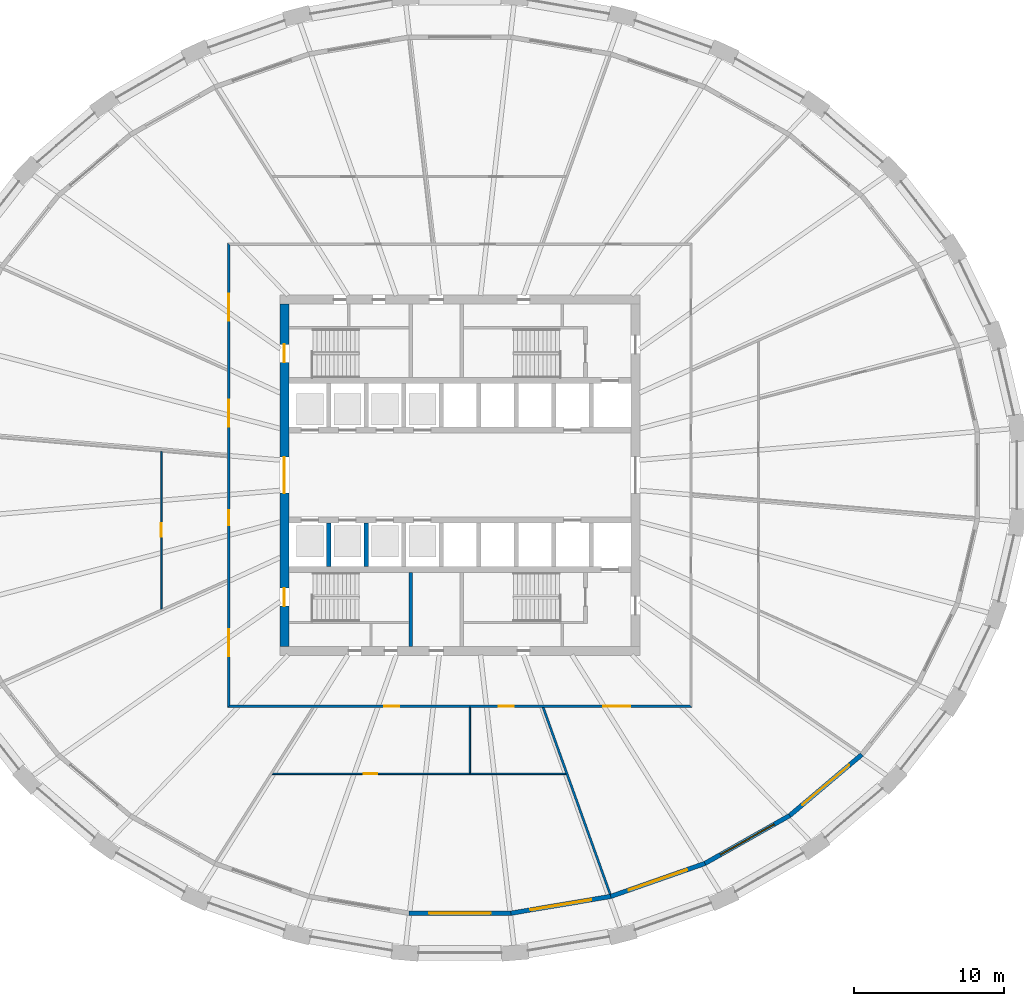
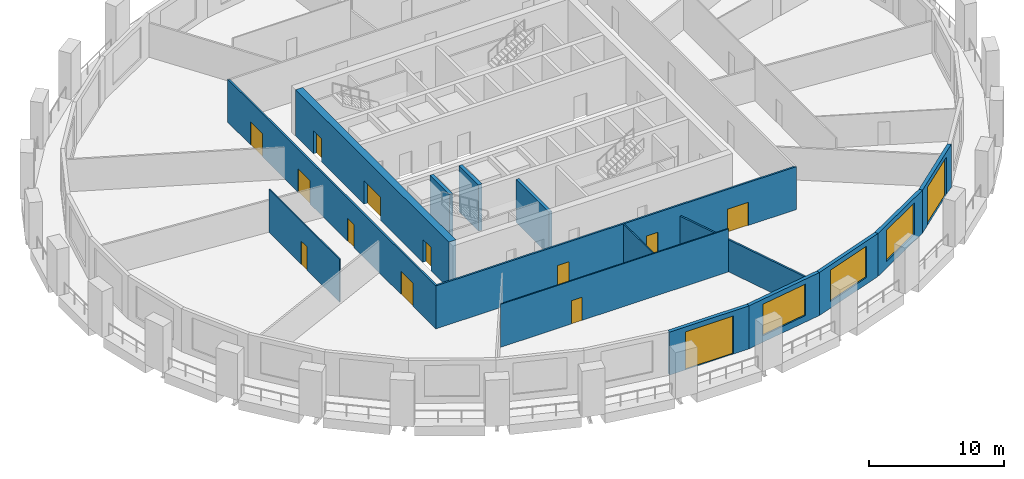
# One storey, part 3 of 10: 15 walls, 14 doors, 3 windows, 17 openings.
"""IFC4 building model written with IfcOpenShell, lengths in metres."""

from ifc_helpers import new_model, si_unit, direction, frame, frame_2d, origin, place, context, subcontext, project, spatial, polyline, rectangle, outline, extrude, material, layer, layer_set, type_object, element, fill, save


model = new_model("IFC4")

# Units and contexts
model_context = context("Model", 3, precision=1e-05, world=origin(), true_north=direction((0.0, 1.0)))
body_context = subcontext(model_context, "Body", "Model", "MODEL_VIEW")
ifc_project = project(units=[si_unit("LENGTHUNIT", "METRE"), si_unit("AREAUNIT", "SQUARE_METRE"), si_unit("VOLUMEUNIT", "CUBIC_METRE"), si_unit("PLANEANGLEUNIT", "RADIAN"), si_unit("MASSUNIT", "GRAM", prefix="KILO")], contexts=[model_context])

# Site, building, storey
site_placement = place(None, origin())
site = spatial("IfcSite", under=ifc_project, at=site_placement, CompositionType="ELEMENT")
building_placement = place(site_placement, origin())
building = spatial("IfcBuilding", under=site, at=building_placement, Name="Halqa Exchange Tower", CompositionType="ELEMENT")
storey_placement = place(building_placement, frame((0.0, 0.0, 48.699951171875)))
storey = spatial("IfcBuildingStorey", under=building, at=storey_placement, Name="L10", CompositionType="ELEMENT", Elevation=48.699951171875)

# Wall, openings, doors
ifc_material_1 = material(Name="Fire-rated gypsum board")
ifc_layer_1 = layer(ifc_material_1, 0.14990234375)
ifc_layer_set_1 = layer_set([ifc_layer_1], Name="Fire-rated gypsum board")
wall_type_1 = type_object("IfcWallType", Name="Fire partition EI 60 150", PredefinedType="PARTITIONING", material=ifc_layer_set_1)
wall_1_placement = place(storey_placement, frame((-15.39990234375, -15.47509765625, 0.0), z_axis=(0.0, 0.0, 1.0), x_axis=(0.0, 1.0, 0.0)))
wall_1 = element("IfcWall", 1, at=wall_1_placement, inside=storey, type_object=wall_type_1, Name="L10-PWL-006", PredefinedType="PARTITIONING", context=body_context, shape_type="SweptSolid", body=[
    extrude(outline(polyline([(0.150146484375, -0.074951171875), (2.065673828125, -0.074951171875), (3.9814453125, -0.074951171875), (5.89697265625, -0.074951171875), (7.8125, -0.074951171875), (9.728271484375, -0.074951171875), (11.643798828125, -0.074951171875), (13.5595703125, -0.074951171875), (15.47509765625, -0.074951171875), (17.390625, -0.074951171875), (19.306396484375, -0.074951171875), (21.221923828125, -0.074951171875), (23.1376953125, -0.074951171875), (25.05322265625, -0.074951171875), (26.96875, -0.074951171875), (28.884521484375, -0.074951171875), (30.800048828125, -0.074951171875), (30.949951171875, 0.074951171875), (29.015625, 0.074951171875), (27.081298828125, 0.074951171875), (25.14697265625, 0.074951171875), (23.21240234375, 0.074951171875), (21.278076171875, 0.074951171875), (19.34375, 0.074951171875), (17.409423828125, 0.074951171875), (15.47509765625, 0.074951171875), (13.540771484375, 0.074951171875), (11.6064453125, 0.074951171875), (9.672119140625, 0.074951171875), (7.73779296875, 0.074951171875), (5.80322265625, 0.074951171875), (3.868896484375, 0.074951171875), (1.9345703125, 0.074951171875), (0.000244140625, 0.074951171875), (0.150146484375, -0.074951171875)])), origin(), (0.0, 0.0, 1.0), 3.900146484375),
])
opening_1_placement = place(wall_1_placement, frame((25.7548828125, 0.0, 0.0)))
opening_1 = element("IfcOpeningElement", 2, at=opening_1_placement, cuts=wall_1, Name="Opening 03-03", PredefinedType="OPENING", context=body_context, shape_type="SweptSolid", body=[
    extrude(rectangle(XDim=1.800048828125, YDim=2.10009765625, at=frame_2d((0.89990234375, 1.050048828125))), frame((0.0, 0.0869140625, 0.0), z_axis=(0.0, -1.0, 0.0), x_axis=(1.0, 0.0, 0.0)), (0.0, 0.0, 1.0), 0.173828125),
])
opening_2_placement = place(wall_1_placement, frame((18.695068359375, 0.0, 0.0)))
opening_2 = element("IfcOpeningElement", 3, at=opening_2_placement, cuts=wall_1, Name="Opening 03-04", PredefinedType="OPENING", context=body_context, shape_type="SweptSolid", body=[
    extrude(rectangle(XDim=1.800048828125, YDim=2.10009765625, at=frame_2d((0.89990234375, 1.050048828125))), frame((0.0, 0.0869140625, 0.0), z_axis=(0.0, -1.0, 0.0), x_axis=(1.0, 0.0, 0.0)), (0.0, 0.0, 1.0), 0.173828125),
])
opening_3_placement = place(wall_1_placement, frame((12.135009765625, 0.0, 0.0)))
opening_3 = element("IfcOpeningElement", 4, at=opening_3_placement, cuts=wall_1, Name="Opening 03-05", PredefinedType="OPENING", context=body_context, shape_type="SweptSolid", body=[
    extrude(rectangle(XDim=1.0, YDim=2.10009765625, at=frame_2d((0.5, 1.050048828125))), frame((0.0, 0.0869140625, 0.0), z_axis=(0.0, -1.0, 0.0), x_axis=(1.0, 0.0, 0.0)), (0.0, 0.0, 1.0), 0.173828125),
])
opening_4_placement = place(wall_1_placement, frame((3.39501953125, 0.0, 0.0)))
opening_4 = element("IfcOpeningElement", 5, at=opening_4_placement, cuts=wall_1, Name="Opening 03-06", PredefinedType="OPENING", context=body_context, shape_type="SweptSolid", body=[
    extrude(rectangle(XDim=1.800048828125, YDim=2.10009765625, at=frame_2d((0.89990234375, 1.050048828125))), frame((0.0, 0.0869140625, 0.0), z_axis=(0.0, -1.0, 0.0), x_axis=(1.0, 0.0, 0.0)), (0.0, 0.0, 1.0), 0.173828125),
])
ifc_material_2 = material(Name="Steel fire door leaf", Category="steel")
door_type_1 = type_object("IfcDoorType", Name="Fire door FD30S 1000 x 2100", OperationType="SINGLE_SWING_LEFT", PredefinedType="DOOR", material=ifc_material_2)
door_1_placement = place(opening_3_placement, origin())
door_1 = element("IfcDoor", 6, at=door_1_placement, inside=storey, type_object=door_type_1, Name="L10-IDR-005", OperationType="SINGLE_SWING_LEFT", OverallHeight=2.10009765625, OverallWidth=1.0, PredefinedType="DOOR", context=body_context, shape_type="SweptSolid", body=[
    extrude(rectangle(XDim=1.0, YDim=2.10009765625, at=frame_2d((0.5, 1.050048828125))), frame((0.0, 0.02490234375, 0.0), z_axis=(0.0, -1.0, 0.0), x_axis=(1.0, 0.0, 0.0)), (0.0, 0.0, 1.0), 0.050048828125),
])
fill(opening_3, door_1)
door_type_2 = type_object("IfcDoorType", Name="Fire door FD30S double 1800 x 2100", OperationType="DOUBLE_DOOR_SINGLE_SWING", PredefinedType="DOOR", material=ifc_material_2)
door_2_placement = place(opening_1_placement, origin())
door_2 = element("IfcDoor", 7, at=door_2_placement, inside=storey, type_object=door_type_2, Name="L10-IDR-003", OperationType="DOUBLE_DOOR_SINGLE_SWING", OverallHeight=2.10009765625, OverallWidth=1.800048828125, PredefinedType="DOOR", context=body_context, shape_type="SweptSolid", body=[
    extrude(rectangle(XDim=1.800048828125, YDim=2.10009765625, at=frame_2d((0.89990234375, 1.050048828125))), frame((0.0, 0.02490234375, 0.0), z_axis=(0.0, -1.0, 0.0), x_axis=(1.0, 0.0, 0.0)), (0.0, 0.0, 1.0), 0.050048828125),
])
fill(opening_1, door_2)
door_3_placement = place(opening_2_placement, origin())
door_3 = element("IfcDoor", 8, at=door_3_placement, inside=storey, type_object=door_type_2, Name="L10-IDR-004", OperationType="DOUBLE_DOOR_SINGLE_SWING", OverallHeight=2.10009765625, OverallWidth=1.800048828125, PredefinedType="DOOR", context=body_context, shape_type="SweptSolid", body=[
    extrude(rectangle(XDim=1.800048828125, YDim=2.10009765625, at=frame_2d((0.89990234375, 1.050048828125))), frame((0.0, 0.02490234375, 0.0), z_axis=(0.0, -1.0, 0.0), x_axis=(1.0, 0.0, 0.0)), (0.0, 0.0, 1.0), 0.050048828125),
])
fill(opening_2, door_3)
door_4_placement = place(opening_4_placement, origin())
door_4 = element("IfcDoor", 9, at=door_4_placement, inside=storey, type_object=door_type_2, Name="L10-IDR-006", OperationType="DOUBLE_DOOR_SINGLE_SWING", OverallHeight=2.10009765625, OverallWidth=1.800048828125, PredefinedType="DOOR", context=body_context, shape_type="SweptSolid", body=[
    extrude(rectangle(XDim=1.800048828125, YDim=2.10009765625, at=frame_2d((0.89990234375, 1.050048828125))), frame((0.0, 0.02490234375, 0.0), z_axis=(0.0, -1.0, 0.0), x_axis=(1.0, 0.0, 0.0)), (0.0, 0.0, 1.0), 0.050048828125),
])
fill(opening_4, door_4)

wall_2_placement = place(storey_placement, frame((-15.47509765625, -15.39990234375, 0.0), z_axis=(0.0, 0.0, 1.0), x_axis=(1.0, 0.0, 0.0)))
wall_2 = element("IfcWall", 10, at=wall_2_placement, inside=storey, type_object=wall_type_1, Name="L10-PWL-007", PredefinedType="PARTITIONING", context=body_context, shape_type="SweptSolid", body=[
    extrude(outline(polyline([(0.000244140625, -0.074951171875), (1.9345703125, -0.074951171875), (3.868896484375, -0.074951171875), (5.80322265625, -0.074951171875), (7.73779296875, -0.074951171875), (9.672119140625, -0.074951171875), (11.6064453125, -0.074951171875), (13.540771484375, -0.074951171875), (15.47509765625, -0.074951171875), (17.409423828125, -0.074951171875), (19.34375, -0.074951171875), (21.278076171875, -0.074951171875), (23.21240234375, -0.074951171875), (25.14697265625, -0.074951171875), (27.081298828125, -0.074951171875), (29.015625, -0.074951171875), (30.949951171875, -0.074951171875), (30.800048828125, 0.074951171875), (28.884521484375, 0.074951171875), (26.96875, 0.074951171875), (25.05322265625, 0.074951171875), (23.1376953125, 0.074951171875), (21.221923828125, 0.074951171875), (19.306396484375, 0.074951171875), (17.390625, 0.074951171875), (15.47509765625, 0.074951171875), (13.5595703125, 0.074951171875), (11.643798828125, 0.074951171875), (9.728271484375, 0.074951171875), (7.8125, 0.074951171875), (5.89697265625, 0.074951171875), (3.9814453125, 0.074951171875), (2.065673828125, 0.074951171875), (0.150146484375, 0.074951171875), (0.000244140625, -0.074951171875)])), origin(), (0.0, 0.0, 1.0), 3.900146484375),
])
opening_5_placement = place(wall_2_placement, frame((10.445068359375, 0.0, 0.0)))
opening_5 = element("IfcOpeningElement", 11, at=opening_5_placement, cuts=wall_2, Name="Opening 03-07", PredefinedType="OPENING", context=body_context, shape_type="SweptSolid", body=[
    extrude(rectangle(XDim=1.0, YDim=2.10009765625, at=frame_2d((0.5, 1.050048828125))), frame((0.0, 0.0869140625, 0.0), z_axis=(0.0, -1.0, 0.0), x_axis=(1.0, 0.0, 0.0)), (0.0, 0.0, 1.0), 0.173828125),
])
opening_6_placement = place(wall_2_placement, frame((18.070068359375, 0.0, 0.0)))
opening_6 = element("IfcOpeningElement", 12, at=opening_6_placement, cuts=wall_2, Name="Opening 03-08", PredefinedType="OPENING", context=body_context, shape_type="SweptSolid", body=[
    extrude(rectangle(XDim=1.0, YDim=2.10009765625, at=frame_2d((0.5, 1.050048828125))), frame((0.0, 0.0869140625, 0.0), z_axis=(0.0, -1.0, 0.0), x_axis=(1.0, 0.0, 0.0)), (0.0, 0.0, 1.0), 0.173828125),
])
opening_7_placement = place(wall_2_placement, frame((25.034912109375, 0.0, 0.0)))
opening_7 = element("IfcOpeningElement", 13, at=opening_7_placement, cuts=wall_2, Name="Opening 03-09", PredefinedType="OPENING", context=body_context, shape_type="SweptSolid", body=[
    extrude(rectangle(XDim=1.800048828125, YDim=2.10009765625, at=frame_2d((0.89990234375, 1.050048828125))), frame((0.0, 0.0869140625, 0.0), z_axis=(0.0, -1.0, 0.0), x_axis=(1.0, 0.0, 0.0)), (0.0, 0.0, 1.0), 0.173828125),
])
door_5_placement = place(opening_5_placement, frame((1.0, 0.0, 0.0), z_axis=(0.0, 0.0, 1.0), x_axis=(-1.0, 0.0, 0.0)))
door_5 = element("IfcDoor", 14, at=door_5_placement, inside=storey, type_object=door_type_1, Name="L10-IDR-007", OperationType="SINGLE_SWING_RIGHT", OverallHeight=2.10009765625, OverallWidth=1.0, PredefinedType="DOOR", context=body_context, shape_type="SweptSolid", body=[
    extrude(rectangle(XDim=1.0, YDim=2.10009765625, at=frame_2d((0.5, 1.050048828125))), frame((0.0, 0.02490234375, 0.0), z_axis=(0.0, -1.0, 0.0), x_axis=(1.0, 0.0, 0.0)), (0.0, 0.0, 1.0), 0.050048828125),
])
fill(opening_5, door_5)
door_6_placement = place(opening_6_placement, frame((1.0, 0.0, 0.0), z_axis=(0.0, 0.0, 1.0), x_axis=(-1.0, 0.0, 0.0)))
door_6 = element("IfcDoor", 15, at=door_6_placement, inside=storey, type_object=door_type_1, Name="L10-IDR-008", OperationType="SINGLE_SWING_LEFT", OverallHeight=2.10009765625, OverallWidth=1.0, PredefinedType="DOOR", context=body_context, shape_type="SweptSolid", body=[
    extrude(rectangle(XDim=1.0, YDim=2.10009765625, at=frame_2d((0.5, 1.050048828125))), frame((0.0, 0.02490234375, 0.0), z_axis=(0.0, -1.0, 0.0), x_axis=(1.0, 0.0, 0.0)), (0.0, 0.0, 1.0), 0.050048828125),
])
fill(opening_6, door_6)
door_7_placement = place(opening_7_placement, frame((1.800048828125, 0.0, 0.0), z_axis=(0.0, 0.0, 1.0), x_axis=(-1.0, 0.0, 0.0)))
door_7 = element("IfcDoor", 16, at=door_7_placement, inside=storey, type_object=door_type_2, Name="L10-IDR-009", OperationType="DOUBLE_DOOR_SINGLE_SWING", OverallHeight=2.10009765625, OverallWidth=1.800048828125, PredefinedType="DOOR", context=body_context, shape_type="SweptSolid", body=[
    extrude(rectangle(XDim=1.800048828125, YDim=2.10009765625, at=frame_2d((0.89990234375, 1.050048828125))), frame((0.0, 0.02490234375, 0.0), z_axis=(0.0, -1.0, 0.0), x_axis=(1.0, 0.0, 0.0)), (0.0, 0.0, 1.0), 0.050048828125),
])
fill(opening_7, door_7)

# Wall
wall_3_placement = place(storey_placement, frame((5.537841796875, -15.449951171875, 0.0), z_axis=(0.0, 0.0, 1.0), x_axis=(0.337991057854, -0.941149321208, 0.0)))
element("IfcWall", 17, at=wall_3_placement, inside=storey, type_object=wall_type_1, Name="L10-PWL-015", PredefinedType="PARTITIONING", context=body_context, shape_type="SweptSolid", body=[
    extrude(outline(polyline([(0.0, -0.074951171875), (1.54931640625, -0.074951171875), (3.098876953125, -0.074951171875), (4.648193359375, -0.074951171875), (4.660400390625, -0.04150390625), (4.753662109375, -0.074951171875), (6.451904296875, -0.074951171875), (8.150146484375, -0.074951171875), (9.8486328125, -0.074951171875), (11.546875, -0.074951171875), (13.2451171875, -0.074951171875), (13.2587890625, 0.000244140625), (13.259033203125, 0.040771484375), (13.259033203125, 0.074951171875), (11.37255859375, 0.074951171875), (9.486083984375, 0.074951171875), (7.599609375, 0.074951171875), (5.713134765625, 0.074951171875), (3.826416015625, 0.074951171875), (1.93994140625, 0.074951171875), (0.053466796875, 0.074951171875), (0.0, -0.07421875), (0.0, -0.074951171875)])), origin(), (0.0, 0.0, 1.0), 2.91015625),
])

# Wall, opening, door
ifc_material_3 = material(Name="Gypsum board")
ifc_layer_2 = layer(ifc_material_3, 0.10009765625)
ifc_layer_set_2 = layer_set([ifc_layer_2], Name="Gypsum board")
wall_type_2 = type_object("IfcWallType", Name="Partition 100 gypsum", PredefinedType="PARTITIONING", material=ifc_layer_set_2)
wall_4_placement = place(storey_placement, frame((-19.89990234375, -8.9326171875, 0.0), z_axis=(0.0, 0.0, 1.0), x_axis=(0.0, 1.0, 0.0)))
wall_4 = element("IfcWall", 18, at=wall_4_placement, inside=storey, type_object=wall_type_2, Name="L10-PWL-003", PredefinedType="PARTITIONING", context=body_context, shape_type="SweptSolid", body=[
    extrude(outline(polyline([(0.044921875, -0.050048828125), (1.7890625, -0.050048828125), (3.533203125, -0.050048828125), (5.27734375, -0.050048828125), (7.021240234375, -0.050048828125), (8.765380859375, -0.050048828125), (10.509521484375, -0.050048828125), (10.517578125, 0.045654296875), (10.517578125, 0.050048828125), (8.7646484375, 0.050048828125), (7.01171875, 0.050048828125), (5.2587890625, 0.050048828125), (3.505859375, 0.050048828125), (1.7529296875, 0.050048828125), (0.0, 0.050048828125), (0.0, 0.049560546875), (0.044921875, -0.050048828125)])), origin(), (0.0, 0.0, 1.0), 3.900146484375),
])
opening_8_placement = place(wall_4_placement, frame((4.8173828125, 0.0, 0.0)))
opening_8 = element("IfcOpeningElement", 19, at=opening_8_placement, cuts=wall_4, Name="Opening 03-16", PredefinedType="OPENING", context=body_context, shape_type="SweptSolid", body=[
    extrude(rectangle(XDim=0.89990234375, YDim=2.10009765625, at=frame_2d((0.449951171875, 1.050048828125))), frame((0.0, 0.06201171875, 0.0), z_axis=(0.0, -1.0, 0.0), x_axis=(1.0, 0.0, 0.0)), (0.0, 0.0, 1.0), 0.1240234375),
])
ifc_material_4 = material(Name="Timber door leaf", Category="wood")
door_type_3 = type_object("IfcDoorType", Name="Door 900 x 2100", OperationType="SINGLE_SWING_LEFT", PredefinedType="DOOR", material=ifc_material_4)
door_8_placement = place(opening_8_placement, frame((0.89990234375, 0.0, 0.0), z_axis=(0.0, 0.0, 1.0), x_axis=(-1.0, 0.0, 0.0)))
door_8 = element("IfcDoor", 20, at=door_8_placement, inside=storey, type_object=door_type_3, Name="L10-IDR-016", OperationType="SINGLE_SWING_LEFT", OverallHeight=2.10009765625, OverallWidth=0.89990234375, PredefinedType="DOOR", context=body_context, shape_type="SweptSolid", body=[
    extrude(rectangle(XDim=0.89990234375, YDim=2.10009765625, at=frame_2d((0.449951171875, 1.050048828125))), frame((0.0, 0.02490234375, 0.0), z_axis=(0.0, -1.0, 0.0), x_axis=(1.0, 0.0, 0.0)), (0.0, 0.0, 1.0), 0.050048828125),
])
fill(opening_8, door_8)

wall_5_placement = place(storey_placement, frame((-12.51953125, -19.89990234375, 0.0), z_axis=(0.0, 0.0, 1.0), x_axis=(1.0, 0.0, 0.0)))
wall_5 = element("IfcWall", 21, at=wall_5_placement, inside=storey, type_object=wall_type_2, Name="L10-PWL-010", PredefinedType="PARTITIONING", context=body_context, shape_type="SweptSolid", body=[
    extrude(outline(polyline([(19.593505859375, -0.050048828125), (19.593505859375, -0.04931640625), (19.557861328125, 0.050048828125), (17.978271484375, 0.050048828125), (16.398681640625, 0.050048828125), (14.819091796875, 0.050048828125), (13.239501953125, 0.050048828125), (13.239501953125, 0.0498046875), (13.1396484375, 0.0498046875), (13.1396484375, 0.050048828125), (11.271484375, 0.050048828125), (9.4033203125, 0.050048828125), (7.53515625, 0.050048828125), (5.667236328125, 0.050048828125), (3.799072265625, 0.050048828125), (1.930908203125, 0.050048828125), (0.06298828125, 0.050048828125), (0.0, -0.049560546875), (0.0, -0.050048828125), (1.95947265625, -0.050048828125), (3.918701171875, -0.050048828125), (5.8779296875, -0.050048828125), (7.83740234375, -0.050048828125), (9.796875, -0.050048828125), (11.756103515625, -0.050048828125), (13.71533203125, -0.050048828125), (15.6748046875, -0.050048828125), (17.63427734375, -0.050048828125), (19.593505859375, -0.050048828125)])), origin(), (0.0, 0.0, 1.0), 3.900146484375),
])
opening_9_placement = place(wall_5_placement, frame((6.114501953125, 0.0, 0.0)))
opening_9 = element("IfcOpeningElement", 22, at=opening_9_placement, cuts=wall_5, Name="Opening 03-17", PredefinedType="OPENING", context=body_context, shape_type="SweptSolid", body=[
    extrude(rectangle(XDim=0.89990234375, YDim=2.10009765625, at=frame_2d((0.449951171875, 1.050048828125))), frame((0.0, 0.06201171875, 0.0), z_axis=(0.0, -1.0, 0.0), x_axis=(1.0, 0.0, 0.0)), (0.0, 0.0, 1.0), 0.1240234375),
])
door_9_placement = place(opening_9_placement, origin())
door_9 = element("IfcDoor", 23, at=door_9_placement, inside=storey, type_object=door_type_3, Name="L10-IDR-017", OperationType="SINGLE_SWING_RIGHT", OverallHeight=2.10009765625, OverallWidth=0.89990234375, PredefinedType="DOOR", context=body_context, shape_type="SweptSolid", body=[
    extrude(rectangle(XDim=0.89990234375, YDim=2.10009765625, at=frame_2d((0.449951171875, 1.050048828125))), frame((0.0, 0.02490234375, 0.0), z_axis=(0.0, -1.0, 0.0), x_axis=(1.0, 0.0, 0.0)), (0.0, 0.0, 1.0), 0.050048828125),
])
fill(opening_9, door_9)

# Walls
wall_6_placement = place(storey_placement, frame((0.669921875, -15.47509765625, 0.0), z_axis=(0.0, 0.0, 1.0), x_axis=(0.0, -1.0, 0.0)))
element("IfcWall", 24, at=wall_6_placement, inside=storey, type_object=wall_type_2, Name="L10-PWL-014", PredefinedType="PARTITIONING", context=body_context, shape_type="SweptSolid", body=[
    extrude(rectangle(XDim=4.375, YDim=0.10009765625, at=frame_2d((2.1875, 0.0))), origin(), (0.0, 0.0, 1.0), 3.900146484375),
])
ifc_material_5 = material(Name="Concrete C60/75", Category="concrete")
ifc_layer_3 = layer(ifc_material_5, 0.300048828125)
ifc_layer_set_3 = layer_set([ifc_layer_3], Name="Concrete C60/75")
wall_type_3 = type_object("IfcWallType", Name="RC core wall 300", PredefinedType="SHEAR", material=ifc_layer_set_3)
for number, where, z_axis, x_axis, name in (
    (25, (-8.75, -6.10009765625, 0.0), (0.0, 0.0, 1.0), (0.0, 1.0, 0.0), "Shaft divider S1"),
    (26, (-6.25, -6.10009765625, 0.0), (0.0, 0.0, 1.0), (0.0, 1.0, 0.0), "Shaft divider S2"),
):
    element("IfcWall", number, at=place(storey_placement, frame(where, z_axis=z_axis, x_axis=x_axis)), inside=storey, type_object=wall_type_3, Name=name, PredefinedType="SHEAR", context=body_context, shape_type="SweptSolid", body=[
        extrude(rectangle(XDim=2.900146484375, YDim=0.300048828125, at=frame_2d((1.4501953125, 0.0))), origin(), (0.0, 0.0, 1.0), 4.199951171875),
    ])

# Wall, openings, doors
ifc_material_6 = material(Name="Concrete C80/95", Category="concrete")
ifc_layer_4 = layer(ifc_material_6, 0.60009765625)
ifc_layer_set_4 = layer_set([ifc_layer_4], Name="Concrete C80/95")
wall_type_4 = type_object("IfcWallType", Name="RC core wall 600 C80/95", PredefinedType="SHEAR", material=ifc_layer_set_4)
wall_7_placement = place(storey_placement, frame((-11.699951171875, -11.39990234375, 0.0), z_axis=(0.0, 0.0, 1.0), x_axis=(0.0, 1.0, 0.0)))
wall_7 = element("IfcWall", 27, at=wall_7_placement, inside=storey, type_object=wall_type_4, Name="Core wall west", PredefinedType="SHEAR", context=body_context, shape_type="SweptSolid", body=[
    extrude(rectangle(XDim=22.7998046875, YDim=0.60009765625, at=frame_2d((11.39990234375, 0.0))), origin(), (0.0, 0.0, 1.0), 4.199951171875),
])
opening_10_placement = place(wall_7_placement, frame((10.199951171875, 0.0, 0.0)))
opening_10 = element("IfcOpeningElement", 28, at=opening_10_placement, cuts=wall_7, Name="Opening T03-C13", PredefinedType="OPENING", context=body_context, shape_type="SweptSolid", body=[
    extrude(rectangle(XDim=2.39990234375, YDim=2.10009765625, at=frame_2d((1.199951171875, 1.050048828125))), frame((0.0, 0.31201171875, 0.0), z_axis=(0.0, -1.0, 0.0), x_axis=(1.0, 0.0, 0.0)), (0.0, 0.0, 1.0), 0.6240234375),
])
opening_11_placement = place(wall_7_placement, frame((18.925048828125, 0.0, 0.0)))
opening_11 = element("IfcOpeningElement", 29, at=opening_11_placement, cuts=wall_7, Name="Opening T03-C15", PredefinedType="OPENING", context=body_context, shape_type="SweptSolid", body=[
    extrude(rectangle(XDim=1.199951171875, YDim=2.10009765625, at=frame_2d((0.60009765625, 1.050048828125))), frame((0.0, 0.31201171875, 0.0), z_axis=(0.0, -1.0, 0.0), x_axis=(1.0, 0.0, 0.0)), (0.0, 0.0, 1.0), 0.6240234375),
])
opening_12_placement = place(wall_7_placement, frame((2.675048828125, 0.0, 0.0)))
opening_12 = element("IfcOpeningElement", 30, at=opening_12_placement, cuts=wall_7, Name="Opening T03-C17", PredefinedType="OPENING", context=body_context, shape_type="SweptSolid", body=[
    extrude(rectangle(XDim=1.199951171875, YDim=2.10009765625, at=frame_2d((0.60009765625, 1.050048828125))), frame((0.0, 0.31201171875, 0.0), z_axis=(0.0, -1.0, 0.0), x_axis=(1.0, 0.0, 0.0)), (0.0, 0.0, 1.0), 0.6240234375),
])
door_type_4 = type_object("IfcDoorType", Name="Lobby double door FD60 2400 x 2100", OperationType="DOUBLE_DOOR_SINGLE_SWING", PredefinedType="DOOR", material=ifc_material_2)
door_10_placement = place(opening_10_placement, frame((2.39990234375, 0.0, 0.0), z_axis=(0.0, 0.0, 1.0), x_axis=(-1.0, 0.0, 0.0)))
door_10 = element("IfcDoor", 31, at=door_10_placement, inside=storey, type_object=door_type_4, Name="Lift lobby double door", OperationType="DOUBLE_DOOR_SINGLE_SWING", OverallHeight=2.10009765625, OverallWidth=2.39990234375, PredefinedType="DOOR", context=body_context, shape_type="SweptSolid", body=[
    extrude(rectangle(XDim=2.39990234375, YDim=2.10009765625, at=frame_2d((1.199951171875, 1.050048828125))), frame((0.0, 0.02490234375, 0.0), z_axis=(0.0, -1.0, 0.0), x_axis=(1.0, 0.0, 0.0)), (0.0, 0.0, 1.0), 0.050048828125),
])
fill(opening_10, door_10)
door_type_5 = type_object("IfcDoorType", Name="Stair door FD90 1200 x 2100", OperationType="SINGLE_SWING_LEFT", PredefinedType="DOOR", material=ifc_material_2)
door_11_placement = place(opening_11_placement, frame((1.199951171875, 0.0, 0.0), z_axis=(0.0, 0.0, 1.0), x_axis=(-1.0, 0.0, 0.0)))
door_11 = element("IfcDoor", 32, at=door_11_placement, inside=storey, type_object=door_type_5, Name="Stair door ST1", OperationType="SINGLE_SWING_LEFT", OverallHeight=2.10009765625, OverallWidth=1.199951171875, PredefinedType="DOOR", context=body_context, shape_type="SweptSolid", body=[
    extrude(rectangle(XDim=1.199951171875, YDim=2.10009765625, at=frame_2d((0.60009765625, 1.050048828125))), frame((0.0, 0.02490234375, 0.0), z_axis=(0.0, -1.0, 0.0), x_axis=(1.0, 0.0, 0.0)), (0.0, 0.0, 1.0), 0.050048828125),
])
fill(opening_11, door_11)
door_12_placement = place(opening_12_placement, frame((1.199951171875, 0.0, 0.0), z_axis=(0.0, 0.0, 1.0), x_axis=(-1.0, 0.0, 0.0)))
door_12 = element("IfcDoor", 33, at=door_12_placement, inside=storey, type_object=door_type_5, Name="Stair door ST3", OperationType="SINGLE_SWING_LEFT", OverallHeight=2.10009765625, OverallWidth=1.199951171875, PredefinedType="DOOR", context=body_context, shape_type="SweptSolid", body=[
    extrude(rectangle(XDim=1.199951171875, YDim=2.10009765625, at=frame_2d((0.60009765625, 1.050048828125))), frame((0.0, 0.02490234375, 0.0), z_axis=(0.0, -1.0, 0.0), x_axis=(1.0, 0.0, 0.0)), (0.0, 0.0, 1.0), 0.050048828125),
])
fill(opening_12, door_12)

# Wall
ifc_material_7 = material(Name="Concrete C30/37", Category="concrete")
ifc_layer_5 = layer(ifc_material_7, 0.25)
ifc_layer_set_5 = layer_set([ifc_layer_5], Name="Concrete C30/37")
wall_type_5 = type_object("IfcWallType", Name="RC stair wall 250 C30/37", PredefinedType="SHEAR", material=ifc_layer_set_5)
wall_8_placement = place(storey_placement, frame((-3.27490234375, -11.39990234375, 0.0), z_axis=(0.0, 0.0, 1.0), x_axis=(0.0, 1.0, 0.0)))
element("IfcWall", 34, at=wall_8_placement, inside=storey, type_object=wall_type_5, Name="Stair ST1 east wall S", PredefinedType="SHEAR", context=body_context, shape_type="SweptSolid", body=[
    extrude(rectangle(XDim=4.89990234375, YDim=0.25, at=frame_2d((2.449951171875, 0.0))), origin(), (0.0, 0.0, 1.0), 3.900146484375),
])

# Wall, opening, door
ifc_material_8 = material(Name="Limestone cladding", Category="masonry")
ifc_layer_6 = layer(ifc_material_8, 0.0400390625)
ifc_material_9 = material(Name="Ventilated cavity")
ifc_layer_7 = layer(ifc_material_9, 0.030029296875, ventilated=True)
ifc_material_10 = material(Name="Mineral wool insulation")
ifc_layer_8 = layer(ifc_material_10, 0.10009765625)
ifc_layer_9 = layer(ifc_material_7, 0.10009765625)
ifc_material_11 = material(Name="Internal plaster")
ifc_layer_10 = layer(ifc_material_11, 0.030029296875)
ifc_layer_set_6 = layer_set([ifc_layer_6, ifc_layer_7, ifc_layer_8, ifc_layer_9, ifc_layer_10], Name="Stone-faced insulated wall 300")
wall_type_6 = type_object("IfcWallType", Name="Stone-faced insulated wall 300", PredefinedType="STANDARD", material=ifc_layer_set_6)
wall_9_placement = place(storey_placement, frame((-3.3955078125, -29.194580078125, 0.0), z_axis=(0.0, 0.0, 1.0), x_axis=(1.0, 0.0, 0.0)))
wall_9 = element("IfcWall", 35, at=wall_9_placement, inside=storey, type_object=wall_type_6, Name="Glass-line wall 24", PredefinedType="STANDARD", context=body_context, shape_type="SweptSolid", body=[
    extrude(outline(polyline([(-0.012451171875, -0.14990234375), (6.803466796875, -0.14990234375), (6.778564453125, 0.14990234375), (0.012451171875, 0.14990234375), (-0.012451171875, -0.14990234375)])), origin(), (0.0, 0.0, 1.0), 3.900146484375),
])
opening_13_placement = place(wall_9_placement, frame((1.345703125, 0.0, 0.0)))
opening_13 = element("IfcOpeningElement", 36, at=opening_13_placement, cuts=wall_9, Name="Opening LG-F1-06", PredefinedType="OPENING", context=body_context, shape_type="SweptSolid", body=[
    extrude(rectangle(XDim=4.10009765625, YDim=3.449951171875, at=frame_2d((2.050048828125, 1.72509765625))), frame((0.0, 0.162109375, 0.0), z_axis=(0.0, -1.0, 0.0), x_axis=(1.0, 0.0, 0.0)), (0.0, 0.0, 1.0), 0.323974609375),
])
ifc_material_12 = material(Name="Clear low-emissivity glass in aluminium frame", Category="aluminium")
door_type_6 = type_object("IfcDoorType", Name="Glazed sliding loggia door 4100 x 3450", OperationType="DOUBLE_DOOR_SLIDING", PredefinedType="DOOR", material=ifc_material_12)
door_13_placement = place(opening_13_placement, origin())
door_13 = element("IfcDoor", 37, at=door_13_placement, inside=storey, type_object=door_type_6, Name="Loggia door 6", OperationType="DOUBLE_DOOR_SLIDING", OverallHeight=3.449951171875, OverallWidth=4.10009765625, PredefinedType="DOOR", context=body_context, shape_type="SweptSolid", body=[
    extrude(rectangle(XDim=4.10009765625, YDim=3.449951171875, at=frame_2d((2.050048828125, 1.72509765625))), frame((0.0, 0.02490234375, 0.0), z_axis=(0.0, -1.0, 0.0), x_axis=(1.0, 0.0, 0.0)), (0.0, 0.0, 1.0), 0.050048828125),
])
fill(opening_13, door_13)

# Wall, opening, window
wall_10_placement = place(storey_placement, frame((3.3955078125, -29.194580078125, 0.0), z_axis=(0.0, 0.0, 1.0), x_axis=(0.986149614624, 0.165858185139, 0.0)))
wall_10 = element("IfcWall", 38, at=wall_10_placement, inside=storey, type_object=wall_type_6, Name="Glass-line wall 25", PredefinedType="STANDARD", context=body_context, shape_type="SweptSolid", body=[
    extrude(outline(polyline([(-0.012451171875, -0.14990234375), (6.767578125, -0.14990234375), (6.7421875, 0.14990234375), (0.012451171875, 0.14990234375), (-0.012451171875, -0.14990234375)])), origin(), (0.0, 0.0, 1.0), 3.900146484375),
])
opening_14_placement = place(wall_10_placement, frame((1.327392578125, 0.0, 0.60009765625)))
opening_14 = element("IfcOpeningElement", 39, at=opening_14_placement, cuts=wall_10, Name="Opening W-F1-25", PredefinedType="OPENING", context=body_context, shape_type="SweptSolid", body=[
    extrude(rectangle(XDim=4.10009765625, YDim=2.85009765625, at=frame_2d((2.050048828125, 1.425048828125))), frame((0.0, 0.162109375, 0.0), z_axis=(0.0, -1.0, 0.0), x_axis=(1.0, 0.0, 0.0)), (0.0, 0.0, 1.0), 0.323974609375),
])
window_type = type_object("IfcWindowType", Name="Fixed clear glazed window 4100 x 2850", PartitioningType="TRIPLE_PANEL_VERTICAL", PredefinedType="WINDOW", material=ifc_material_12)
window_1_placement = place(opening_14_placement, origin())
window_1 = element("IfcWindow", 40, at=window_1_placement, inside=storey, type_object=window_type, Name="Window 1", OverallHeight=2.85009765625, OverallWidth=4.10009765625, PartitioningType="TRIPLE_PANEL_VERTICAL", PredefinedType="WINDOW", context=body_context, shape_type="SweptSolid", body=[
    extrude(rectangle(XDim=4.10009765625, YDim=2.85009765625, at=frame_2d((2.050048828125, 1.425048828125))), frame((0.0, 0.030029296875, 0.0), z_axis=(0.0, -1.0, 0.0), x_axis=(1.0, 0.0, 0.0)), (0.0, 0.0, 1.0), 0.06005859375),
])
fill(opening_14, window_1)

wall_11_placement = place(storey_placement, frame((10.056884765625, -28.07421875, 0.0), z_axis=(0.0, 0.0, 1.0), x_axis=(0.943790794479, 0.330543395421, 0.0)))
wall_11 = element("IfcWall", 41, at=wall_11_placement, inside=storey, type_object=wall_type_6, Name="Glass-line wall 26", PredefinedType="STANDARD", context=body_context, shape_type="SweptSolid", body=[
    extrude(outline(polyline([(-0.0126953125, -0.14990234375), (6.6630859375, -0.14990234375), (6.63623046875, 0.14990234375), (0.0126953125, 0.14990234375), (-0.0126953125, -0.14990234375)])), origin(), (0.0, 0.0, 1.0), 3.900146484375),
])
opening_15_placement = place(wall_11_placement, frame((1.27490234375, 0.0, 0.60009765625)))
opening_15 = element("IfcOpeningElement", 42, at=opening_15_placement, cuts=wall_11, Name="Opening W-F1-26", PredefinedType="OPENING", context=body_context, shape_type="SweptSolid", body=[
    extrude(rectangle(XDim=4.10009765625, YDim=2.85009765625, at=frame_2d((2.050048828125, 1.425048828125))), frame((0.0, 0.162109375, 0.0), z_axis=(0.0, -1.0, 0.0), x_axis=(1.0, 0.0, 0.0)), (0.0, 0.0, 1.0), 0.323974609375),
])
window_2_placement = place(opening_15_placement, origin())
window_2 = element("IfcWindow", 43, at=window_2_placement, inside=storey, type_object=window_type, Name="Window 1", OverallHeight=2.85009765625, OverallWidth=4.10009765625, PartitioningType="TRIPLE_PANEL_VERTICAL", PredefinedType="WINDOW", context=body_context, shape_type="SweptSolid", body=[
    extrude(rectangle(XDim=4.10009765625, YDim=2.85009765625, at=frame_2d((2.050048828125, 1.425048828125))), frame((0.0, 0.030029296875, 0.0), z_axis=(0.0, -1.0, 0.0), x_axis=(1.0, 0.0, 0.0)), (0.0, 0.0, 1.0), 0.06005859375),
])
fill(opening_15, window_2)

wall_12_placement = place(storey_placement, frame((16.332763671875, -25.876220703125, 0.0), z_axis=(0.0, 0.0, 1.0), x_axis=(0.870647609977, 0.491907246584, 0.0)))
wall_12 = element("IfcWall", 44, at=wall_12_placement, inside=storey, type_object=wall_type_6, Name="Glass-line wall 27", PredefinedType="STANDARD", context=body_context, shape_type="SweptSolid", body=[
    extrude(outline(polyline([(-0.013427734375, -0.14990234375), (6.50341796875, -0.14990234375), (6.47509765625, 0.14990234375), (0.013427734375, 0.14990234375), (-0.013427734375, -0.14990234375)])), origin(), (0.0, 0.0, 1.0), 3.900146484375),
])
opening_16_placement = place(wall_12_placement, frame((1.194580078125, 0.0, 0.60009765625)))
opening_16 = element("IfcOpeningElement", 45, at=opening_16_placement, cuts=wall_12, Name="Opening W-F1-27", PredefinedType="OPENING", context=body_context, shape_type="SweptSolid", body=[
    extrude(rectangle(XDim=4.10009765625, YDim=2.85009765625, at=frame_2d((2.050048828125, 1.425048828125))), frame((0.0, 0.162109375, 0.0), z_axis=(0.0, -1.0, 0.0), x_axis=(1.0, 0.0, 0.0)), (0.0, 0.0, 1.0), 0.323974609375),
])
window_3_placement = place(opening_16_placement, origin())
window_3 = element("IfcWindow", 46, at=window_3_placement, inside=storey, type_object=window_type, Name="Window 1", OverallHeight=2.85009765625, OverallWidth=4.10009765625, PartitioningType="TRIPLE_PANEL_VERTICAL", PredefinedType="WINDOW", context=body_context, shape_type="SweptSolid", body=[
    extrude(rectangle(XDim=4.10009765625, YDim=2.85009765625, at=frame_2d((2.050048828125, 1.425048828125))), frame((0.0, 0.030029296875, 0.0), z_axis=(0.0, -1.0, 0.0), x_axis=(1.0, 0.0, 0.0)), (0.0, 0.0, 1.0), 0.06005859375),
])
fill(opening_16, window_3)

# Wall, opening, door
wall_13_placement = place(storey_placement, frame((21.982666015625, -22.68408203125, 0.0), z_axis=(0.0, 0.0, 1.0), x_axis=(0.763614259808, 0.645672720671, 0.0)))
wall_13 = element("IfcWall", 47, at=wall_13_placement, inside=storey, type_object=wall_type_6, Name="Glass-line wall 28", PredefinedType="STANDARD", context=body_context, shape_type="SweptSolid", body=[
    extrude(outline(polyline([(-0.01416015625, -0.14990234375), (6.31005859375, -0.14990234375), (6.27978515625, 0.14990234375), (0.01416015625, 0.14990234375), (-0.01416015625, -0.14990234375)])), origin(), (0.0, 0.0, 1.0), 3.900146484375),
])
opening_17_placement = place(wall_13_placement, frame((1.097412109375, 0.0, 0.0)))
opening_17 = element("IfcOpeningElement", 48, at=opening_17_placement, cuts=wall_13, Name="Opening LG-F1-07", PredefinedType="OPENING", context=body_context, shape_type="SweptSolid", body=[
    extrude(rectangle(XDim=4.10009765625, YDim=3.449951171875, at=frame_2d((2.050048828125, 1.72509765625))), frame((0.0, 0.162109375, 0.0), z_axis=(0.0, -1.0, 0.0), x_axis=(1.0, 0.0, 0.0)), (0.0, 0.0, 1.0), 0.323974609375),
])
door_14_placement = place(opening_17_placement, origin())
door_14 = element("IfcDoor", 49, at=door_14_placement, inside=storey, type_object=door_type_6, Name="Loggia door 7", OperationType="DOUBLE_DOOR_SLIDING", OverallHeight=3.449951171875, OverallWidth=4.10009765625, PredefinedType="DOOR", context=body_context, shape_type="SweptSolid", body=[
    extrude(rectangle(XDim=4.10009765625, YDim=3.449951171875, at=frame_2d((2.050048828125, 1.72509765625))), frame((0.0, 0.02490234375, 0.0), z_axis=(0.0, -1.0, 0.0), x_axis=(1.0, 0.0, 0.0)), (0.0, 0.0, 1.0), 0.050048828125),
])
fill(opening_17, door_14)

save(model, "model.ifc")
